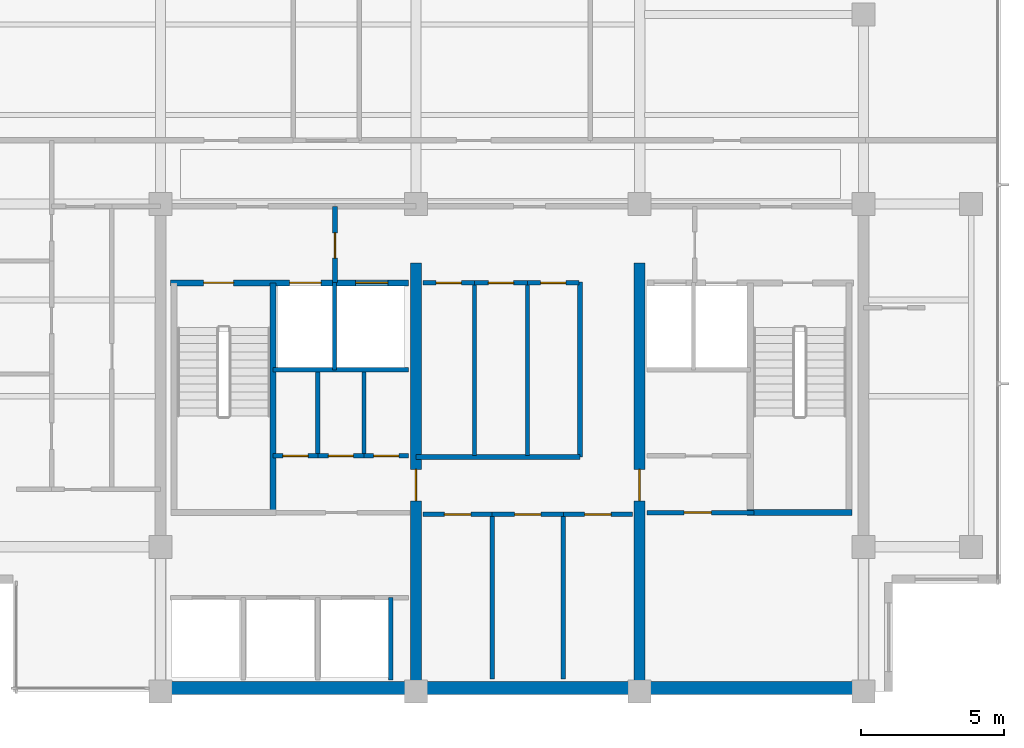
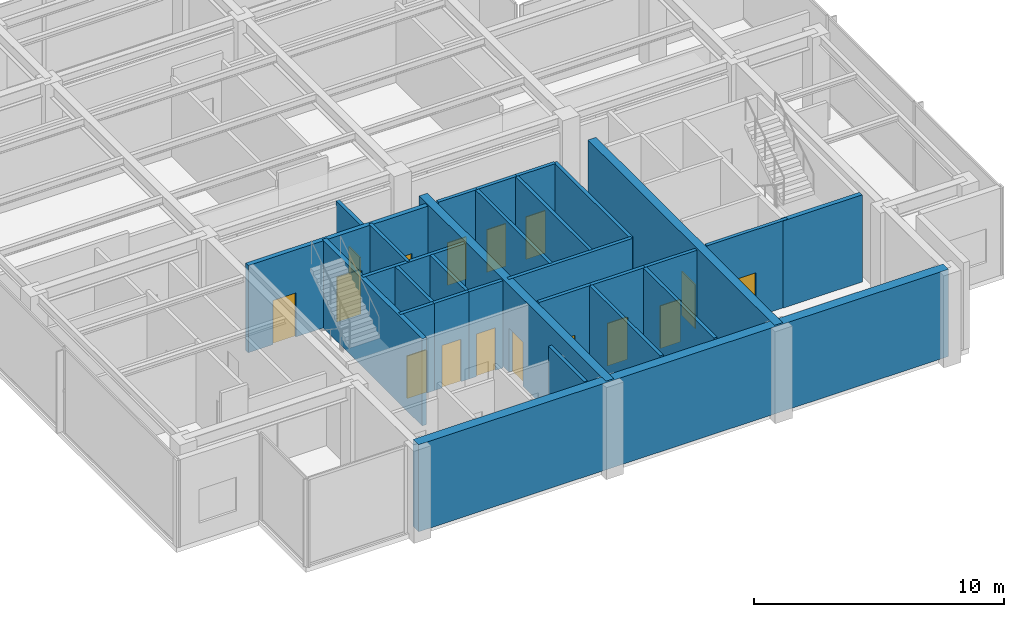
# One storey, part 6 of 11: 28 walls, 16 doors, 16 openings.
"""IFC4 building model written with IfcOpenShell, lengths in metres."""

from ifc_helpers import new_model, si_unit, direction, frame, frame_2d, origin, place, context, subcontext, project, spatial, rectangle, extrude, material, layer, layer_set, type_object, element, fill, save


model = new_model("IFC4")

# Units and contexts
model_context = context("Model", 3, precision=1e-05, world=origin(), true_north=direction((0.0, 1.0)))
body_context = subcontext(model_context, "Body", "Model", "MODEL_VIEW")
ifc_project = project(units=[si_unit("LENGTHUNIT", "METRE"), si_unit("AREAUNIT", "SQUARE_METRE"), si_unit("VOLUMEUNIT", "CUBIC_METRE"), si_unit("PLANEANGLEUNIT", "RADIAN"), si_unit("MASSUNIT", "GRAM", prefix="KILO")], contexts=[model_context])

# Site, building, storey
site_placement = place(None, origin())
site = spatial("IfcSite", under=ifc_project, at=site_placement, CompositionType="ELEMENT")
building_placement = place(site_placement, origin())
building = spatial("IfcBuilding", under=site, at=building_placement, Name="Qalmaran Belvedere Hotel", CompositionType="ELEMENT")
storey_placement = place(building_placement, frame((0.0, 0.0, 280.89990234375)))
storey = spatial("IfcBuildingStorey", under=building, at=storey_placement, Name="L73", CompositionType="ELEMENT", Elevation=280.89990234375)

# Wall, opening, door
ifc_material_1 = material(Name="Concrete C50/60", Category="concrete")
ifc_layer_1 = layer(ifc_material_1, 0.3798828125, Name="Concrete C50/60")
ifc_layer_set_1 = layer_set([ifc_layer_1], Name="Concrete C50/60")
wall_type_1 = type_object("IfcWallType", Name="WL-CORE-380-C50", PredefinedType="SHEAR", material=ifc_layer_set_1)
wall_1_placement = place(storey_placement, frame((29.199951171875, 3.5, 0.0), z_axis=(0.0, 0.0, 1.0), x_axis=(0.0, 1.0, 0.0)))
wall_1 = element("IfcWall", 1, at=wall_1_placement, inside=storey, type_object=wall_type_1, Name="L73 Core West Spine Shear Wall", PredefinedType="SHEAR", context=body_context, shape_type="SweptSolid", body=[
    extrude(rectangle(XDim=14.949951171875, YDim=0.3798828125, at=frame_2d((7.47509765625, 0.0))), origin(), (0.0, 0.0, 1.0), 4.260009765625),
])
opening_1_placement = place(wall_1_placement, frame((7.75, 0.0, 0.0), z_axis=(0.0, 0.0, 1.0), x_axis=(-1.0, 0.0, 0.0)))
opening_1 = element("IfcOpeningElement", 2, at=opening_1_placement, cuts=wall_1, Name="Opening FD90", PredefinedType="OPENING", context=body_context, shape_type="SweptSolid", body=[
    extrude(rectangle(XDim=1.10009765625, YDim=2.14990234375, at=frame_2d((0.550048828125, 1.074951171875))), frame((0.0, 0.199951171875, 0.0), z_axis=(0.0, -1.0, 0.0), x_axis=(1.0, 0.0, 0.0)), (0.0, 0.0, 1.0), 0.39990234375),
])
ifc_material_2 = material(Name="Steel S355JR", Category="steel")
door_type_1 = type_object("IfcDoorType", Name="DR-FD90-1100X2150", OperationType="NOTDEFINED", PredefinedType="DOOR", material=ifc_material_2)
door_1_placement = place(opening_1_placement, origin())
door_1 = element("IfcDoor", 3, at=door_1_placement, inside=storey, type_object=door_type_1, Name="L73 Core West Cross-Lobby Door", OperationType="SINGLE_SWING_RIGHT", OverallHeight=2.14990234375, OverallWidth=1.10009765625, PredefinedType="DOOR", context=body_context, shape_type="SweptSolid", body=[
    extrude(rectangle(XDim=1.10009765625, YDim=2.14990234375, at=frame_2d((0.550048828125, 1.074951171875))), frame((0.0, 0.02490234375, 0.0), z_axis=(0.0, -1.0, 0.0), x_axis=(1.0, 0.0, 0.0)), (0.0, 0.0, 1.0), 0.050048828125),
])
fill(opening_1, door_1)

wall_2_placement = place(storey_placement, frame((37.0, 3.5, 0.0), z_axis=(0.0, 0.0, 1.0), x_axis=(0.0, 1.0, 0.0)))
wall_2 = element("IfcWall", 4, at=wall_2_placement, inside=storey, type_object=wall_type_1, Name="L73 Core East Spine Shear Wall", PredefinedType="SHEAR", context=body_context, shape_type="SweptSolid", body=[
    extrude(rectangle(XDim=14.949951171875, YDim=0.3798828125, at=frame_2d((7.47509765625, 0.0))), origin(), (0.0, 0.0, 1.0), 4.260009765625),
])
opening_2_placement = place(wall_2_placement, frame((6.64990234375, 0.0, 0.0)))
opening_2 = element("IfcOpeningElement", 5, at=opening_2_placement, cuts=wall_2, Name="Opening FD90", PredefinedType="OPENING", context=body_context, shape_type="SweptSolid", body=[
    extrude(rectangle(XDim=1.10009765625, YDim=2.14990234375, at=frame_2d((0.550048828125, 1.074951171875))), frame((0.0, 0.199951171875, 0.0), z_axis=(0.0, -1.0, 0.0), x_axis=(1.0, 0.0, 0.0)), (0.0, 0.0, 1.0), 0.39990234375),
])
door_2_placement = place(opening_2_placement, origin())
door_2 = element("IfcDoor", 6, at=door_2_placement, inside=storey, type_object=door_type_1, Name="L73 Core East Cross-Lobby Door", OperationType="SINGLE_SWING_LEFT", OverallHeight=2.14990234375, OverallWidth=1.10009765625, PredefinedType="DOOR", context=body_context, shape_type="SweptSolid", body=[
    extrude(rectangle(XDim=1.10009765625, YDim=2.14990234375, at=frame_2d((0.550048828125, 1.074951171875))), frame((0.0, 0.02490234375, 0.0), z_axis=(0.0, -1.0, 0.0), x_axis=(1.0, 0.0, 0.0)), (0.0, 0.0, 1.0), 0.050048828125),
])
fill(opening_2, door_2)

# Walls
ifc_layer_2 = layer(ifc_material_1, 0.43994140625, Name="Concrete C50/60")
ifc_layer_set_2 = layer_set([ifc_layer_2], Name="Concrete C50/60")
wall_type_2 = type_object("IfcWallType", Name="WL-CORES-440-EXT", PredefinedType="SHEAR", material=ifc_layer_set_2)
wall_3_placement = place(storey_placement, frame((20.300048828125, 3.6298828125, 0.0), z_axis=(0.0, 0.0, 1.0), x_axis=(1.0, 0.0, 0.0)))
element("IfcWall", 7, at=wall_3_placement, inside=storey, type_object=wall_type_2, Name="L73 South Core Shear Wall", PredefinedType="SHEAR", context=body_context, shape_type="SweptSolid", body=[
    extrude(rectangle(XDim=24.5, YDim=0.43994140625, at=frame_2d((12.25, 0.0))), origin(), (0.0, 0.0, 1.0), 4.260009765625),
])
ifc_material_3 = material(Name="Gypsum Stud Partition")
ifc_layer_3 = layer(ifc_material_3, 0.14990234375, Name="Gypsum Stud Partition")
ifc_layer_set_3 = layer_set([ifc_layer_3], Name="Gypsum Stud Partition")
wall_type_3 = type_object("IfcWallType", Name="WL-INT-150-EI120", PredefinedType="PARTITIONING", material=ifc_layer_set_3)
wall_4_placement = place(storey_placement, frame((26.360107421875, 14.719970703125, 0.0), z_axis=(0.0, 0.0, 1.0), x_axis=(0.0, 1.0, 0.0)))
element("IfcWall", 8, at=wall_4_placement, inside=storey, type_object=wall_type_3, Name="L73 Partition WL-FF1M-L73", PredefinedType="PARTITIONING", context=body_context, shape_type="SweptSolid", body=[
    extrude(rectangle(XDim=3.0400390625, YDim=0.14990234375, at=frame_2d((1.52001953125, 0.0))), origin(), (0.0, 0.0, 1.0), 4.260009765625),
])
wall_5_placement = place(storey_placement, frame((28.320068359375, 3.89990234375, 0.0), z_axis=(0.0, 0.0, 1.0), x_axis=(0.0, 1.0, 0.0)))
element("IfcWall", 9, at=wall_5_placement, inside=storey, type_object=wall_type_3, Name="L73 Partition WL-POM3-L73", PredefinedType="PARTITIONING", context=body_context, shape_type="SweptSolid", body=[
    extrude(rectangle(XDim=2.880126953125, YDim=0.14990234375, at=frame_2d((1.43994140625, 0.0))), origin(), (0.0, 0.0, 1.0), 4.260009765625),
])
ifc_layer_4 = layer(ifc_material_3, 0.14990234375, Name="Gypsum Stud Partition")
ifc_layer_set_4 = layer_set([ifc_layer_4], Name="Gypsum Stud Partition")
wall_type_4 = type_object("IfcWallType", Name="WL-INT-150-EI60", PredefinedType="PARTITIONING", material=ifc_layer_set_4)
for number, where, z_axis, x_axis, name in (
    (10, (25.781005859375, 11.719970703125, 0.0), (0.0, 0.0, 1.0), (0.0, 1.0, 0.0), "L73 Partition WL-L73-KWV1"),
    (11, (27.38916015625, 11.719970703125, 0.0), (0.0, 0.0, 1.0), (0.0, 1.0, 0.0), "L73 Partition WL-L73-KWV2"),
):
    element("IfcWall", number, at=place(storey_placement, frame(where, z_axis=z_axis, x_axis=x_axis)), inside=storey, type_object=wall_type_4, Name=name, PredefinedType="PARTITIONING", context=body_context, shape_type="SweptSolid", body=[
        extrude(rectangle(XDim=2.929931640625, YDim=0.14990234375, at=frame_2d((1.46484375, 0.0))), origin(), (0.0, 0.0, 1.0), 4.260009765625),
    ])
for number, where, z_axis, x_axis, name in (
    (12, (31.85888671875, 3.949951171875, 0.0), (0.0, 0.0, 1.0), (0.0, 1.0, 0.0), "L73 Partition WL-L73-KPLV1"),
    (13, (34.341064453125, 3.949951171875, 0.0), (0.0, 0.0, 1.0), (0.0, 1.0, 0.0), "L73 Partition WL-L73-KPLV2"),
):
    element("IfcWall", number, at=place(storey_placement, frame(where, z_axis=z_axis, x_axis=x_axis)), inside=storey, type_object=wall_type_4, Name=name, PredefinedType="PARTITIONING", context=body_context, shape_type="SweptSolid", body=[
        extrude(rectangle(XDim=5.72998046875, YDim=0.14990234375, at=frame_2d((2.864990234375, 0.0))), origin(), (0.0, 0.0, 1.0), 4.260009765625),
    ])
for number, where, z_axis, x_axis, name in (
    (14, (31.241943359375, 11.739990234375, 0.0), (0.0, 0.0, 1.0), (0.0, 1.0, 0.0), "L73 Partition WL-L73-KPMV1"),
    (15, (33.088134765625, 11.739990234375, 0.0), (0.0, 0.0, 1.0), (0.0, 1.0, 0.0), "L73 Partition WL-L73-KPMV2"),
):
    element("IfcWall", number, at=place(storey_placement, frame(where, z_axis=z_axis, x_axis=x_axis)), inside=storey, type_object=wall_type_4, Name=name, PredefinedType="PARTITIONING", context=body_context, shape_type="SweptSolid", body=[
        extrude(rectangle(XDim=6.010009765625, YDim=0.14990234375, at=frame_2d((3.0048828125, 0.0))), origin(), (0.0, 0.0, 1.0), 4.260009765625),
    ])

# Wall, opening, door
ifc_layer_5 = layer(ifc_material_3, 0.159912109375, Name="Gypsum Stud Partition")
ifc_layer_set_5 = layer_set([ifc_layer_5], Name="Gypsum Stud Partition")
wall_type_5 = type_object("IfcWallType", Name="WL-INT-160-EI120", PredefinedType="PARTITIONING", material=ifc_layer_set_5)
wall_6_placement = place(storey_placement, frame((26.3798828125, 17.760009765625, 0.0), z_axis=(0.0, 0.0, 1.0), x_axis=(0.0, 1.0, 0.0)))
wall_6 = element("IfcWall", 16, at=wall_6_placement, inside=storey, type_object=wall_type_5, Name="L73 Partition WL-FFSV1-L73", PredefinedType="PARTITIONING", context=body_context, shape_type="SweptSolid", body=[
    extrude(rectangle(XDim=2.659912109375, YDim=0.159912109375, at=frame_2d((1.330078125, 0.0))), origin(), (0.0, 0.0, 1.0), 3.781982421875),
])
opening_3_placement = place(wall_6_placement, frame((0.85009765625, 0.0, 0.0)))
opening_3 = element("IfcOpeningElement", 17, at=opening_3_placement, cuts=wall_6, Name="Opening FD60B", PredefinedType="OPENING", context=body_context, shape_type="SweptSolid", body=[
    extrude(rectangle(XDim=0.8798828125, YDim=2.080078125, at=frame_2d((0.43994140625, 1.0400390625))), frame((0.0, 0.08984375, 0.0), z_axis=(0.0, -1.0, 0.0), x_axis=(1.0, 0.0, 0.0)), (0.0, 0.0, 1.0), 0.179931640625),
])
door_type_2 = type_object("IfcDoorType", Name="DR-FD60B-880X2080", OperationType="NOTDEFINED", PredefinedType="DOOR", material=ifc_material_2)
door_3_placement = place(opening_3_placement, origin())
door_3 = element("IfcDoor", 18, at=door_3_placement, inside=storey, type_object=door_type_2, Name="L73 Service Lobby West Door", OperationType="SINGLE_SWING_RIGHT", OverallHeight=2.080078125, OverallWidth=0.8798828125, PredefinedType="DOOR", context=body_context, shape_type="SweptSolid", body=[
    extrude(rectangle(XDim=0.8798828125, YDim=2.080078125, at=frame_2d((0.43994140625, 1.0400390625))), frame((0.0, 0.02490234375, 0.0), z_axis=(0.0, -1.0, 0.0), x_axis=(1.0, 0.0, 0.0)), (0.0, 0.0, 1.0), 0.050048828125),
])
fill(opening_3, door_3)

# Wall
wall_7_placement = place(storey_placement, frame((24.219970703125, 14.719970703125, 0.0), z_axis=(0.0, 0.0, 1.0), x_axis=(1.0, 0.0, 0.0)))
element("IfcWall", 19, at=wall_7_placement, inside=storey, type_object=wall_type_5, Name="L73 Partition WL-FF1S-L73", PredefinedType="PARTITIONING", context=body_context, shape_type="SweptSolid", body=[
    extrude(rectangle(XDim=4.72998046875, YDim=0.159912109375, at=frame_2d((2.364990234375, 0.0))), origin(), (0.0, 0.0, 1.0), 4.260009765625),
])

# Wall, opening, door
ifc_layer_6 = layer(ifc_material_3, 0.159912109375, Name="Gypsum Stud Partition")
ifc_layer_set_6 = layer_set([ifc_layer_6], Name="Gypsum Stud Partition")
wall_type_6 = type_object("IfcWallType", Name="WL-INT-160-EI60", PredefinedType="PARTITIONING", material=ifc_layer_set_6)
wall_8_placement = place(storey_placement, frame((24.219970703125, 11.719970703125, 0.0), z_axis=(0.0, 0.0, 1.0), x_axis=(1.0, 0.0, 0.0)))
wall_8 = element("IfcWall", 20, at=wall_8_placement, inside=storey, type_object=wall_type_6, Name="L73 Partition WL-L73-KWE1", PredefinedType="PARTITIONING", context=body_context, shape_type="SweptSolid", body=[
    extrude(rectangle(XDim=1.56103515625, YDim=0.159912109375, at=frame_2d((0.780517578125, 0.0))), origin(), (0.0, 0.0, 1.0), 4.260009765625),
])
opening_4_placement = place(wall_8_placement, frame((0.340576171875, 0.0, 0.0)))
opening_4 = element("IfcOpeningElement", 21, at=opening_4_placement, cuts=wall_8, Name="Opening FD60B", PredefinedType="OPENING", context=body_context, shape_type="SweptSolid", body=[
    extrude(rectangle(XDim=0.8798828125, YDim=2.080078125, at=frame_2d((0.43994140625, 1.0400390625))), frame((0.0, 0.08984375, 0.0), z_axis=(0.0, -1.0, 0.0), x_axis=(1.0, 0.0, 0.0)), (0.0, 0.0, 1.0), 0.179931640625),
])
door_4_placement = place(opening_4_placement, origin())
door_4 = element("IfcDoor", 22, at=door_4_placement, inside=storey, type_object=door_type_2, Name="L73 Staff Core WC Door", OperationType="SINGLE_SWING_LEFT", OverallHeight=2.080078125, OverallWidth=0.8798828125, PredefinedType="DOOR", context=body_context, shape_type="SweptSolid", body=[
    extrude(rectangle(XDim=0.8798828125, YDim=2.080078125, at=frame_2d((0.43994140625, 1.0400390625))), frame((0.0, 0.02490234375, 0.0), z_axis=(0.0, -1.0, 0.0), x_axis=(1.0, 0.0, 0.0)), (0.0, 0.0, 1.0), 0.050048828125),
])
fill(opening_4, door_4)

wall_9_placement = place(storey_placement, frame((25.781005859375, 11.719970703125, 0.0), z_axis=(0.0, 0.0, 1.0), x_axis=(1.0, 0.0, 0.0)))
wall_9 = element("IfcWall", 23, at=wall_9_placement, inside=storey, type_object=wall_type_6, Name="L73 Partition WL-L73-KWE2", PredefinedType="PARTITIONING", context=body_context, shape_type="SweptSolid", body=[
    extrude(rectangle(XDim=1.608154296875, YDim=0.159912109375, at=frame_2d((0.80419921875, 0.0))), origin(), (0.0, 0.0, 1.0), 4.260009765625),
])
opening_5_placement = place(wall_9_placement, frame((0.364013671875, 0.0, 0.0)))
opening_5 = element("IfcOpeningElement", 24, at=opening_5_placement, cuts=wall_9, Name="Opening FD60B", PredefinedType="OPENING", context=body_context, shape_type="SweptSolid", body=[
    extrude(rectangle(XDim=0.8798828125, YDim=2.080078125, at=frame_2d((0.43994140625, 1.0400390625))), frame((0.0, 0.08984375, 0.0), z_axis=(0.0, -1.0, 0.0), x_axis=(1.0, 0.0, 0.0)), (0.0, 0.0, 1.0), 0.179931640625),
])
door_5_placement = place(opening_5_placement, origin())
door_5 = element("IfcDoor", 25, at=door_5_placement, inside=storey, type_object=door_type_2, Name="L73 Electrical Distribution Room Door", OperationType="SINGLE_SWING_RIGHT", OverallHeight=2.080078125, OverallWidth=0.8798828125, PredefinedType="DOOR", context=body_context, shape_type="SweptSolid", body=[
    extrude(rectangle(XDim=0.8798828125, YDim=2.080078125, at=frame_2d((0.43994140625, 1.0400390625))), frame((0.0, 0.02490234375, 0.0), z_axis=(0.0, -1.0, 0.0), x_axis=(1.0, 0.0, 0.0)), (0.0, 0.0, 1.0), 0.050048828125),
])
fill(opening_5, door_5)

wall_10_placement = place(storey_placement, frame((27.38916015625, 11.719970703125, 0.0), z_axis=(0.0, 0.0, 1.0), x_axis=(1.0, 0.0, 0.0)))
wall_10 = element("IfcWall", 26, at=wall_10_placement, inside=storey, type_object=wall_type_6, Name="L73 Partition WL-L73-KWE3", PredefinedType="PARTITIONING", context=body_context, shape_type="SweptSolid", body=[
    extrude(rectangle(XDim=1.560791015625, YDim=0.159912109375, at=frame_2d((0.7802734375, 0.0))), origin(), (0.0, 0.0, 1.0), 4.260009765625),
])
opening_6_placement = place(wall_10_placement, frame((0.340576171875, 0.0, 0.0)))
opening_6 = element("IfcOpeningElement", 27, at=opening_6_placement, cuts=wall_10, Name="Opening FD60B", PredefinedType="OPENING", context=body_context, shape_type="SweptSolid", body=[
    extrude(rectangle(XDim=0.8798828125, YDim=2.080078125, at=frame_2d((0.43994140625, 1.0400390625))), frame((0.0, 0.08984375, 0.0), z_axis=(0.0, -1.0, 0.0), x_axis=(1.0, 0.0, 0.0)), (0.0, 0.0, 1.0), 0.179931640625),
])
door_6_placement = place(opening_6_placement, origin())
door_6 = element("IfcDoor", 28, at=door_6_placement, inside=storey, type_object=door_type_2, Name="L73 Telecom and IT Room Door", OperationType="SINGLE_SWING_LEFT", OverallHeight=2.080078125, OverallWidth=0.8798828125, PredefinedType="DOOR", context=body_context, shape_type="SweptSolid", body=[
    extrude(rectangle(XDim=0.8798828125, YDim=2.080078125, at=frame_2d((0.43994140625, 1.0400390625))), frame((0.0, 0.02490234375, 0.0), z_axis=(0.0, -1.0, 0.0), x_axis=(1.0, 0.0, 0.0)), (0.0, 0.0, 1.0), 0.050048828125),
])
fill(opening_6, door_6)

wall_11_placement = place(storey_placement, frame((37.25, 9.739990234375, 0.0), z_axis=(0.0, 0.0, 1.0), x_axis=(1.0, 0.0, 0.0)))
wall_11 = element("IfcWall", 29, at=wall_11_placement, inside=storey, type_object=wall_type_6, Name="L73 Partition WL-PHFR-L73", PredefinedType="PARTITIONING", context=body_context, shape_type="SweptSolid", body=[
    extrude(rectangle(XDim=3.72998046875, YDim=0.159912109375, at=frame_2d((1.864990234375, 0.0))), origin(), (0.0, 0.0, 1.0), 4.260009765625),
])
opening_7_placement = place(wall_11_placement, frame((2.25, 0.0, 0.0), z_axis=(0.0, 0.0, 1.0), x_axis=(-1.0, 0.0, 0.0)))
opening_7 = element("IfcOpeningElement", 30, at=opening_7_placement, cuts=wall_11, Name="Opening FD60", PredefinedType="OPENING", context=body_context, shape_type="SweptSolid", body=[
    extrude(rectangle(XDim=0.949951171875, YDim=2.14990234375, at=frame_2d((0.47509765625, 1.074951171875))), frame((0.0, 0.08984375, 0.0), z_axis=(0.0, -1.0, 0.0), x_axis=(1.0, 0.0, 0.0)), (0.0, 0.0, 1.0), 0.179931640625),
])
ifc_material_4 = material(Name="Engineered Oak Veneer")
door_type_3 = type_object("IfcDoorType", Name="DR-FD60-950X2150", OperationType="NOTDEFINED", PredefinedType="DOOR", material=ifc_material_4)
door_7_placement = place(opening_7_placement, origin())
door_7 = element("IfcDoor", 31, at=door_7_placement, inside=storey, type_object=door_type_3, Name="L73 Freed PH Room Door", OperationType="SINGLE_SWING_RIGHT", OverallHeight=2.14990234375, OverallWidth=0.949951171875, PredefinedType="DOOR", context=body_context, shape_type="SweptSolid", body=[
    extrude(rectangle(XDim=0.949951171875, YDim=2.14990234375, at=frame_2d((0.47509765625, 1.074951171875))), frame((0.0, 0.02490234375, 0.0), z_axis=(0.0, -1.0, 0.0), x_axis=(1.0, 0.0, 0.0)), (0.0, 0.0, 1.0), 0.050048828125),
])
fill(opening_7, door_7)

# Wall
wall_12_placement = place(storey_placement, frame((34.919921875, 11.679931640625, 0.0), z_axis=(0.0, 0.0, 1.0), x_axis=(0.0, 1.0, 0.0)))
element("IfcWall", 32, at=wall_12_placement, inside=storey, type_object=wall_type_6, Name="L73 Partition WL-CLLV-L73", PredefinedType="PARTITIONING", context=body_context, shape_type="SweptSolid", body=[
    extrude(rectangle(XDim=6.10009765625, YDim=0.159912109375, at=frame_2d((3.050048828125, 0.0))), origin(), (0.0, 0.0, 1.0), 4.260009765625),
])

# Wall, opening, door
wall_13_placement = place(storey_placement, frame((29.449951171875, 9.679931640625, 0.0), z_axis=(0.0, 0.0, 1.0), x_axis=(1.0, 0.0, 0.0)))
wall_13 = element("IfcWall", 33, at=wall_13_placement, inside=storey, type_object=wall_type_6, Name="L73 Partition WL-L73-KPLE1", PredefinedType="PARTITIONING", context=body_context, shape_type="SweptSolid", body=[
    extrude(rectangle(XDim=2.408935546875, YDim=0.159912109375, at=frame_2d((1.20458984375, 0.0))), origin(), (0.0, 0.0, 1.0), 4.260009765625),
])
opening_8_placement = place(wall_13_placement, frame((1.664306640625, 0.0, 0.0), z_axis=(0.0, 0.0, 1.0), x_axis=(-1.0, 0.0, 0.0)))
opening_8 = element("IfcOpeningElement", 34, at=opening_8_placement, cuts=wall_13, Name="Opening FD60S1", PredefinedType="OPENING", context=body_context, shape_type="SweptSolid", body=[
    extrude(rectangle(XDim=0.919921875, YDim=2.080078125, at=frame_2d((0.4599609375, 1.0400390625))), frame((0.0, 0.08984375, 0.0), z_axis=(0.0, -1.0, 0.0), x_axis=(1.0, 0.0, 0.0)), (0.0, 0.0, 1.0), 0.179931640625),
])
door_type_4 = type_object("IfcDoorType", Name="DR-FD60S-920X2080", OperationType="NOTDEFINED", PredefinedType="DOOR", material=ifc_material_4)
door_8_placement = place(opening_8_placement, origin())
door_8 = element("IfcDoor", 35, at=door_8_placement, inside=storey, type_object=door_type_4, Name="L73 Housekeeping and Linen Room Door", OperationType="SINGLE_SWING_LEFT", OverallHeight=2.080078125, OverallWidth=0.919921875, PredefinedType="DOOR", context=body_context, shape_type="SweptSolid", body=[
    extrude(rectangle(XDim=0.919921875, YDim=2.080078125, at=frame_2d((0.4599609375, 1.0400390625))), frame((0.0, 0.02490234375, 0.0), z_axis=(0.0, -1.0, 0.0), x_axis=(1.0, 0.0, 0.0)), (0.0, 0.0, 1.0), 0.050048828125),
])
fill(opening_8, door_8)

wall_14_placement = place(storey_placement, frame((31.85888671875, 9.679931640625, 0.0), z_axis=(0.0, 0.0, 1.0), x_axis=(1.0, 0.0, 0.0)))
wall_14 = element("IfcWall", 36, at=wall_14_placement, inside=storey, type_object=wall_type_6, Name="L73 Partition WL-L73-KPLE2", PredefinedType="PARTITIONING", context=body_context, shape_type="SweptSolid", body=[
    extrude(rectangle(XDim=2.482177734375, YDim=0.159912109375, at=frame_2d((1.2412109375, 0.0))), origin(), (0.0, 0.0, 1.0), 4.260009765625),
])
opening_9_placement = place(wall_14_placement, frame((1.700927734375, 0.0, 0.0), z_axis=(0.0, 0.0, 1.0), x_axis=(-1.0, 0.0, 0.0)))
opening_9 = element("IfcOpeningElement", 37, at=opening_9_placement, cuts=wall_14, Name="Opening FD60S1", PredefinedType="OPENING", context=body_context, shape_type="SweptSolid", body=[
    extrude(rectangle(XDim=0.919921875, YDim=2.080078125, at=frame_2d((0.4599609375, 1.0400390625))), frame((0.0, 0.08984375, 0.0), z_axis=(0.0, -1.0, 0.0), x_axis=(1.0, 0.0, 0.0)), (0.0, 0.0, 1.0), 0.179931640625),
])
door_9_placement = place(opening_9_placement, origin())
door_9 = element("IfcDoor", 38, at=door_9_placement, inside=storey, type_object=door_type_4, Name="L73 Hotel Butler Service Pantry Door", OperationType="SINGLE_SWING_RIGHT", OverallHeight=2.080078125, OverallWidth=0.919921875, PredefinedType="DOOR", context=body_context, shape_type="SweptSolid", body=[
    extrude(rectangle(XDim=0.919921875, YDim=2.080078125, at=frame_2d((0.4599609375, 1.0400390625))), frame((0.0, 0.02490234375, 0.0), z_axis=(0.0, -1.0, 0.0), x_axis=(1.0, 0.0, 0.0)), (0.0, 0.0, 1.0), 0.050048828125),
])
fill(opening_9, door_9)

wall_15_placement = place(storey_placement, frame((34.341064453125, 9.679931640625, 0.0), z_axis=(0.0, 0.0, 1.0), x_axis=(1.0, 0.0, 0.0)))
wall_15 = element("IfcWall", 39, at=wall_15_placement, inside=storey, type_object=wall_type_6, Name="L73 Partition WL-L73-KPLE3", PredefinedType="PARTITIONING", context=body_context, shape_type="SweptSolid", body=[
    extrude(rectangle(XDim=2.408935546875, YDim=0.159912109375, at=frame_2d((1.20458984375, 0.0))), origin(), (0.0, 0.0, 1.0), 4.260009765625),
])
opening_10_placement = place(wall_15_placement, frame((1.664306640625, 0.0, 0.0), z_axis=(0.0, 0.0, 1.0), x_axis=(-1.0, 0.0, 0.0)))
opening_10 = element("IfcOpeningElement", 40, at=opening_10_placement, cuts=wall_15, Name="Opening FD60S1", PredefinedType="OPENING", context=body_context, shape_type="SweptSolid", body=[
    extrude(rectangle(XDim=0.919921875, YDim=2.080078125, at=frame_2d((0.4599609375, 1.0400390625))), frame((0.0, 0.08984375, 0.0), z_axis=(0.0, -1.0, 0.0), x_axis=(1.0, 0.0, 0.0)), (0.0, 0.0, 1.0), 0.179931640625),
])
door_10_placement = place(opening_10_placement, origin())
door_10 = element("IfcDoor", 41, at=door_10_placement, inside=storey, type_object=door_type_4, Name="L73 Guest Valet Supply Store Door", OperationType="SINGLE_SWING_LEFT", OverallHeight=2.080078125, OverallWidth=0.919921875, PredefinedType="DOOR", context=body_context, shape_type="SweptSolid", body=[
    extrude(rectangle(XDim=0.919921875, YDim=2.080078125, at=frame_2d((0.4599609375, 1.0400390625))), frame((0.0, 0.02490234375, 0.0), z_axis=(0.0, -1.0, 0.0), x_axis=(1.0, 0.0, 0.0)), (0.0, 0.0, 1.0), 0.050048828125),
])
fill(opening_10, door_10)

# Wall
wall_16_placement = place(storey_placement, frame((29.199951171875, 11.679931640625, 0.0), z_axis=(0.0, 0.0, 1.0), x_axis=(1.0, 0.0, 0.0)))
element("IfcWall", 42, at=wall_16_placement, inside=storey, type_object=wall_type_6, Name="L73 Partition WL-PMFS-L73", PredefinedType="PARTITIONING", context=body_context, shape_type="SweptSolid", body=[
    extrude(rectangle(XDim=5.719970703125, YDim=0.159912109375, at=frame_2d((2.85986328125, 0.0))), origin(), (0.0, 0.0, 1.0), 4.260009765625),
])

# Wall, opening, door
wall_17_placement = place(storey_placement, frame((29.449951171875, 17.75, 0.0), z_axis=(0.0, 0.0, 1.0), x_axis=(1.0, 0.0, 0.0)))
wall_17 = element("IfcWall", 43, at=wall_17_placement, inside=storey, type_object=wall_type_6, Name="L73 Partition WL-L73-KPME1", PredefinedType="PARTITIONING", context=body_context, shape_type="SweptSolid", body=[
    extrude(rectangle(XDim=1.7919921875, YDim=0.159912109375, at=frame_2d((0.89599609375, 0.0))), origin(), (0.0, 0.0, 1.0), 4.260009765625),
])
opening_11_placement = place(wall_17_placement, frame((1.3359375, 0.0, 0.0), z_axis=(0.0, 0.0, 1.0), x_axis=(-1.0, 0.0, 0.0)))
opening_11 = element("IfcOpeningElement", 44, at=opening_11_placement, cuts=wall_17, Name="Opening FD60B", PredefinedType="OPENING", context=body_context, shape_type="SweptSolid", body=[
    extrude(rectangle(XDim=0.8798828125, YDim=2.080078125, at=frame_2d((0.43994140625, 1.0400390625))), frame((0.0, 0.08984375, 0.0), z_axis=(0.0, -1.0, 0.0), x_axis=(1.0, 0.0, 0.0)), (0.0, 0.0, 1.0), 0.179931640625),
])
door_11_placement = place(opening_11_placement, origin())
door_11 = element("IfcDoor", 45, at=door_11_placement, inside=storey, type_object=door_type_2, Name="L73 Executive Butler Pantry Door", OperationType="SINGLE_SWING_RIGHT", OverallHeight=2.080078125, OverallWidth=0.8798828125, PredefinedType="DOOR", context=body_context, shape_type="SweptSolid", body=[
    extrude(rectangle(XDim=0.8798828125, YDim=2.080078125, at=frame_2d((0.43994140625, 1.0400390625))), frame((0.0, 0.02490234375, 0.0), z_axis=(0.0, -1.0, 0.0), x_axis=(1.0, 0.0, 0.0)), (0.0, 0.0, 1.0), 0.050048828125),
])
fill(opening_11, door_11)

wall_18_placement = place(storey_placement, frame((31.241943359375, 17.75, 0.0), z_axis=(0.0, 0.0, 1.0), x_axis=(1.0, 0.0, 0.0)))
wall_18 = element("IfcWall", 46, at=wall_18_placement, inside=storey, type_object=wall_type_6, Name="L73 Partition WL-L73-KPME2", PredefinedType="PARTITIONING", context=body_context, shape_type="SweptSolid", body=[
    extrude(rectangle(XDim=1.84619140625, YDim=0.159912109375, at=frame_2d((0.923095703125, 0.0))), origin(), (0.0, 0.0, 1.0), 4.260009765625),
])
opening_12_placement = place(wall_18_placement, frame((1.363037109375, 0.0, 0.0), z_axis=(0.0, 0.0, 1.0), x_axis=(-1.0, 0.0, 0.0)))
opening_12 = element("IfcOpeningElement", 47, at=opening_12_placement, cuts=wall_18, Name="Opening FD60B", PredefinedType="OPENING", context=body_context, shape_type="SweptSolid", body=[
    extrude(rectangle(XDim=0.8798828125, YDim=2.080078125, at=frame_2d((0.43994140625, 1.0400390625))), frame((0.0, 0.08984375, 0.0), z_axis=(0.0, -1.0, 0.0), x_axis=(1.0, 0.0, 0.0)), (0.0, 0.0, 1.0), 0.179931640625),
])
door_12_placement = place(opening_12_placement, origin())
door_12 = element("IfcDoor", 48, at=door_12_placement, inside=storey, type_object=door_type_2, Name="L73 Floor Linen Supply Store Door", OperationType="SINGLE_SWING_LEFT", OverallHeight=2.080078125, OverallWidth=0.8798828125, PredefinedType="DOOR", context=body_context, shape_type="SweptSolid", body=[
    extrude(rectangle(XDim=0.8798828125, YDim=2.080078125, at=frame_2d((0.43994140625, 1.0400390625))), frame((0.0, 0.02490234375, 0.0), z_axis=(0.0, -1.0, 0.0), x_axis=(1.0, 0.0, 0.0)), (0.0, 0.0, 1.0), 0.050048828125),
])
fill(opening_12, door_12)

wall_19_placement = place(storey_placement, frame((33.088134765625, 17.75, 0.0), z_axis=(0.0, 0.0, 1.0), x_axis=(1.0, 0.0, 0.0)))
wall_19 = element("IfcWall", 49, at=wall_19_placement, inside=storey, type_object=wall_type_6, Name="L73 Partition WL-L73-KPME3", PredefinedType="PARTITIONING", context=body_context, shape_type="SweptSolid", body=[
    extrude(rectangle(XDim=1.791748046875, YDim=0.159912109375, at=frame_2d((0.89599609375, 0.0))), origin(), (0.0, 0.0, 1.0), 4.260009765625),
])
opening_13_placement = place(wall_19_placement, frame((1.3359375, 0.0, 0.0), z_axis=(0.0, 0.0, 1.0), x_axis=(-1.0, 0.0, 0.0)))
opening_13 = element("IfcOpeningElement", 50, at=opening_13_placement, cuts=wall_19, Name="Opening FD60B", PredefinedType="OPENING", context=body_context, shape_type="SweptSolid", body=[
    extrude(rectangle(XDim=0.8798828125, YDim=2.080078125, at=frame_2d((0.43994140625, 1.0400390625))), frame((0.0, 0.08984375, 0.0), z_axis=(0.0, -1.0, 0.0), x_axis=(1.0, 0.0, 0.0)), (0.0, 0.0, 1.0), 0.179931640625),
])
door_13_placement = place(opening_13_placement, origin())
door_13 = element("IfcDoor", 51, at=door_13_placement, inside=storey, type_object=door_type_2, Name="L73 Core Tableware Store Door", OperationType="SINGLE_SWING_RIGHT", OverallHeight=2.080078125, OverallWidth=0.8798828125, PredefinedType="DOOR", context=body_context, shape_type="SweptSolid", body=[
    extrude(rectangle(XDim=0.8798828125, YDim=2.080078125, at=frame_2d((0.43994140625, 1.0400390625))), frame((0.0, 0.02490234375, 0.0), z_axis=(0.0, -1.0, 0.0), x_axis=(1.0, 0.0, 0.0)), (0.0, 0.0, 1.0), 0.050048828125),
])
fill(opening_13, door_13)

# Wall
ifc_layer_7 = layer(ifc_material_1, 0.2099609375, Name="Concrete C50/60")
ifc_layer_set_7 = layer_set([ifc_layer_7], Name="Concrete C50/60")
wall_type_7 = type_object("IfcWallType", Name="WL-STAIR-210-C50", PredefinedType="SHEAR", material=ifc_layer_set_7)
wall_20_placement = place(storey_placement, frame((24.22509765625, 9.7451171875, 0.0), z_axis=(0.0, 0.0, 1.0), x_axis=(0.0, 1.0, 0.0)))
element("IfcWall", 52, at=wall_20_placement, inside=storey, type_object=wall_type_7, Name="L73 Stair ST-1 East Bearing Wall", PredefinedType="SHEAR", context=body_context, shape_type="SweptSolid", body=[
    extrude(rectangle(XDim=8.009765625, YDim=0.2099609375, at=frame_2d((4.0048828125, 0.0))), origin(), (0.0, 0.0, 1.0), 4.260009765625),
])

# Wall, openings, doors
wall_21_placement = place(storey_placement, frame((20.64990234375, 17.7548828125, 0.0), z_axis=(0.0, 0.0, 1.0), x_axis=(1.0, 0.0, 0.0)))
wall_21 = element("IfcWall", 53, at=wall_21_placement, inside=storey, type_object=wall_type_7, Name="L73 West Lobby and Stair ST-1 North Bearing Wall", PredefinedType="SHEAR", context=body_context, shape_type="SweptSolid", body=[
    extrude(rectangle(XDim=8.300048828125, YDim=0.2099609375, at=frame_2d((4.14990234375, 0.0))), origin(), (0.0, 0.0, 1.0), 4.260009765625),
])
opening_14_placement = place(wall_21_placement, frame((2.199951171875, 0.0, 0.0), z_axis=(0.0, 0.0, 1.0), x_axis=(-1.0, 0.0, 0.0)))
opening_14 = element("IfcOpeningElement", 54, at=opening_14_placement, cuts=wall_21, Name="Opening FD90S2", PredefinedType="OPENING", context=body_context, shape_type="SweptSolid", body=[
    extrude(rectangle(XDim=1.050048828125, YDim=2.14990234375, at=frame_2d((0.52490234375, 1.074951171875))), frame((0.0, 0.114990234375, 0.0), z_axis=(0.0, -1.0, 0.0), x_axis=(1.0, 0.0, 0.0)), (0.0, 0.0, 1.0), 0.22998046875),
])
opening_15_placement = place(wall_21_placement, frame((4.14990234375, 0.0, 0.0)))
opening_15 = element("IfcOpeningElement", 55, at=opening_15_placement, cuts=wall_21, Name="Opening LD-FF", PredefinedType="OPENING", context=body_context, shape_type="SweptSolid", body=[
    extrude(rectangle(XDim=1.10009765625, YDim=2.179931640625, at=frame_2d((0.550048828125, 1.08984375))), frame((0.0, 0.114990234375, 0.0), z_axis=(0.0, -1.0, 0.0), x_axis=(1.0, 0.0, 0.0)), (0.0, 0.0, 1.0), 0.22998046875),
])
opening_16_placement = place(wall_21_placement, frame((6.449951171875, 0.0, 0.0)))
opening_16 = element("IfcOpeningElement", 56, at=opening_16_placement, cuts=wall_21, Name="Opening LD-SV", PredefinedType="OPENING", context=body_context, shape_type="SweptSolid", body=[
    extrude(rectangle(XDim=1.1201171875, YDim=2.199951171875, at=frame_2d((0.56005859375, 1.10009765625))), frame((0.0, 0.114990234375, 0.0), z_axis=(0.0, -1.0, 0.0), x_axis=(1.0, 0.0, 0.0)), (0.0, 0.0, 1.0), 0.22998046875),
])
door_type_5 = type_object("IfcDoorType", Name="DR-FD90S-1050X2150", OperationType="NOTDEFINED", PredefinedType="DOOR", material=ifc_material_2)
door_14_placement = place(opening_14_placement, origin())
door_14 = element("IfcDoor", 57, at=door_14_placement, inside=storey, type_object=door_type_5, Name="L73 Stair ST-1 Door", OperationType="SINGLE_SWING_RIGHT", OverallHeight=2.14990234375, OverallWidth=1.050048828125, PredefinedType="DOOR", context=body_context, shape_type="SweptSolid", body=[
    extrude(rectangle(XDim=1.050048828125, YDim=2.14990234375, at=frame_2d((0.52490234375, 1.074951171875))), frame((0.0, 0.02490234375, 0.0), z_axis=(0.0, -1.0, 0.0), x_axis=(1.0, 0.0, 0.0)), (0.0, 0.0, 1.0), 0.050048828125),
])
fill(opening_14, door_14)
ifc_material_5 = material(Name="Stainless Steel 1.4401", Category="steel")
door_type_6 = type_object("IfcDoorType", Name="DR-LIFT-FF-1100X2180", OperationType="DOUBLE_DOOR_SLIDING", PredefinedType="DOOR", material=ifc_material_5)
door_15_placement = place(opening_15_placement, origin())
door_15 = element("IfcDoor", 58, at=door_15_placement, inside=storey, type_object=door_type_6, Name="L73 FF1 Lift Landing Door", OperationType="DOUBLE_DOOR_SLIDING", OverallHeight=2.179931640625, OverallWidth=1.10009765625, PredefinedType="DOOR", context=body_context, shape_type="SweptSolid", body=[
    extrude(rectangle(XDim=1.10009765625, YDim=2.179931640625, at=frame_2d((0.550048828125, 1.08984375))), frame((0.0, 0.02490234375, 0.0), z_axis=(0.0, -1.0, 0.0), x_axis=(1.0, 0.0, 0.0)), (0.0, 0.0, 1.0), 0.050048828125),
])
fill(opening_15, door_15)
door_type_7 = type_object("IfcDoorType", Name="DR-LIFT-SV-1120X2200", OperationType="DOUBLE_DOOR_SLIDING", PredefinedType="DOOR", material=ifc_material_5)
door_16_placement = place(opening_16_placement, origin())
door_16 = element("IfcDoor", 59, at=door_16_placement, inside=storey, type_object=door_type_7, Name="L73 SV1 Lift Landing Door", OperationType="DOUBLE_DOOR_SLIDING", OverallHeight=2.199951171875, OverallWidth=1.1201171875, PredefinedType="DOOR", context=body_context, shape_type="SweptSolid", body=[
    extrude(rectangle(XDim=1.1201171875, YDim=2.199951171875, at=frame_2d((0.56005859375, 1.10009765625))), frame((0.0, 0.02490234375, 0.0), z_axis=(0.0, -1.0, 0.0), x_axis=(1.0, 0.0, 0.0)), (0.0, 0.0, 1.0), 0.050048828125),
])
fill(opening_16, door_16)

# Wall
wall_22_placement = place(storey_placement, frame((40.75, 9.7451171875, 0.0), z_axis=(0.0, 0.0, 1.0), x_axis=(1.0, 0.0, 0.0)))
element("IfcWall", 60, at=wall_22_placement, inside=storey, type_object=wall_type_7, Name="L73 Stair ST-2 South Bearing Wall", PredefinedType="SHEAR", context=body_context, shape_type="SweptSolid", body=[
    extrude(rectangle(XDim=3.659912109375, YDim=0.2099609375, at=frame_2d((1.830078125, 0.0))), origin(), (0.0, 0.0, 1.0), 4.260009765625),
])

save(model, "model.ifc")
